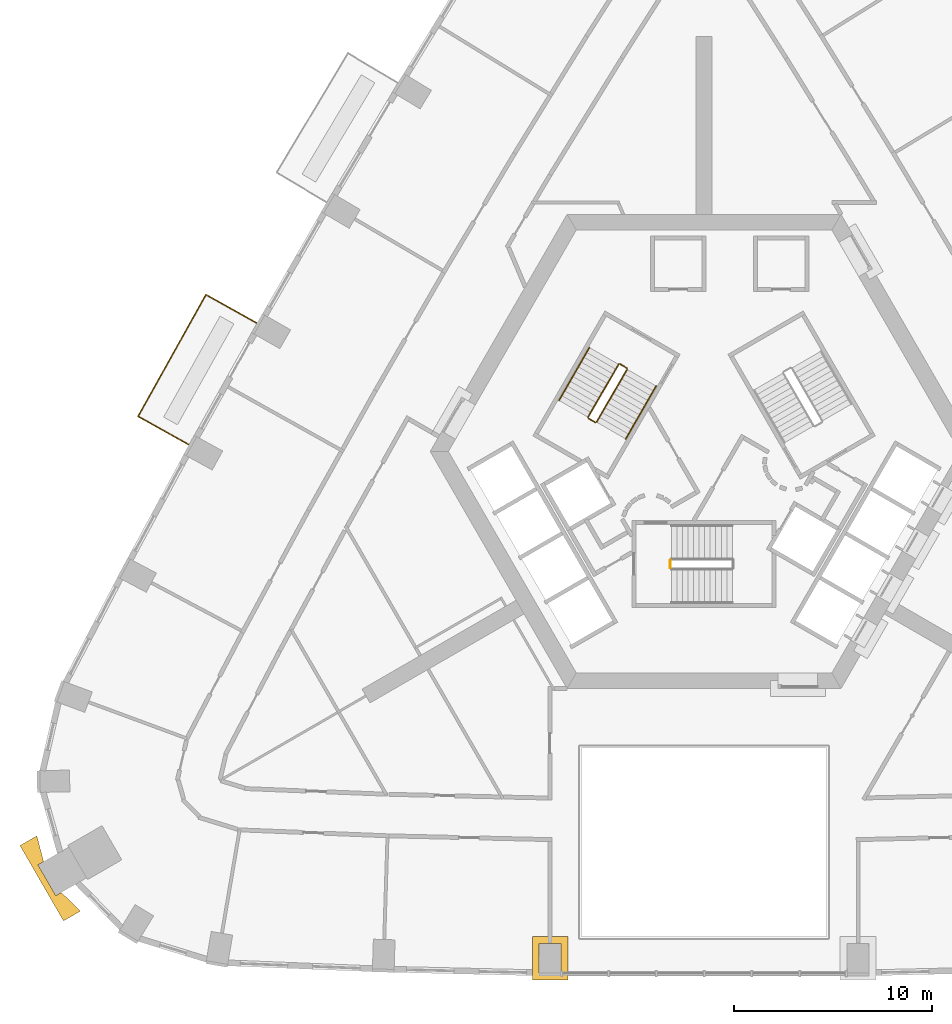
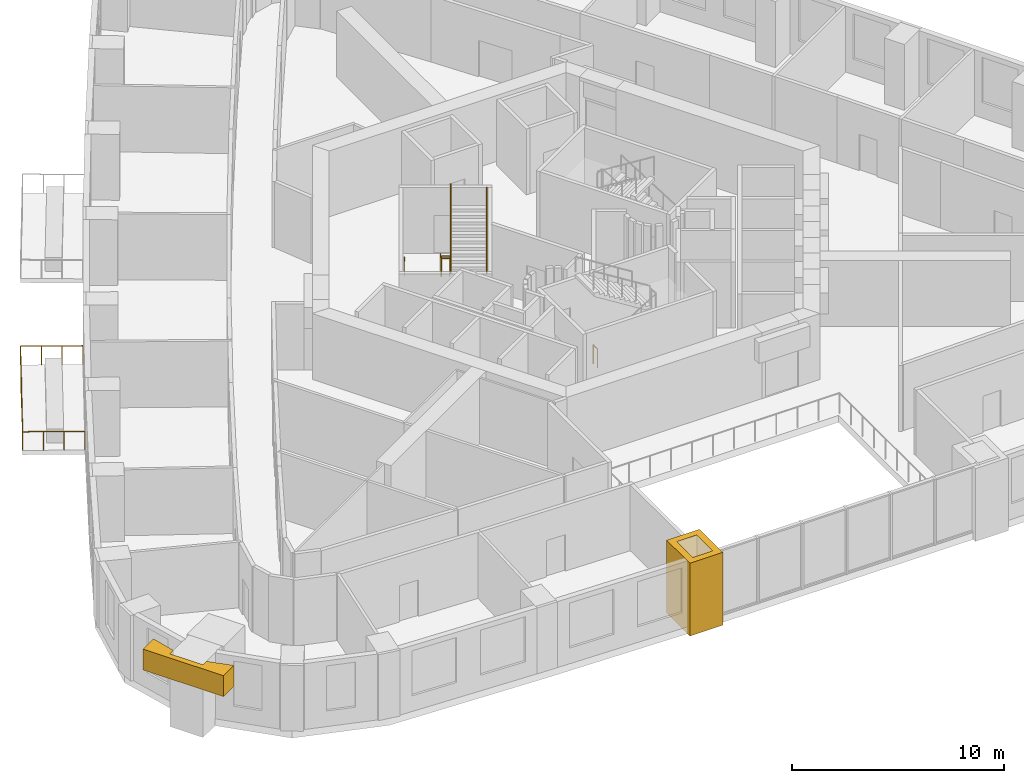
# One storey, part 12 of 14: 8 railings, 2 coverings.
"""IFC4 building model written with IfcOpenShell, lengths in metres."""

from ifc_helpers import new_model, si_unit, direction, frame, origin, origin_2d, place, context, subcontext, project, spatial, polyline, circle, outline, extrude, material, type_object, element, save


model = new_model("IFC4")

# Units and contexts
model_context = context("Model", 3, precision=1e-05, world=origin(), true_north=direction((0.0, 1.0)))
body_context = subcontext(model_context, "Body", "Model", "MODEL_VIEW")
ifc_project = project(units=[si_unit("LENGTHUNIT", "METRE"), si_unit("AREAUNIT", "SQUARE_METRE"), si_unit("VOLUMEUNIT", "CUBIC_METRE"), si_unit("PLANEANGLEUNIT", "RADIAN"), si_unit("MASSUNIT", "GRAM", prefix="KILO")], contexts=[model_context])

# Site, building, storey
site_placement = place(None, origin())
site = spatial("IfcSite", under=ifc_project, at=site_placement, CompositionType="ELEMENT")
building_placement = place(site_placement, origin())
building = spatial("IfcBuilding", under=site, at=building_placement, Name="Entoto Arch Interchange Tower", CompositionType="ELEMENT")
storey_placement = place(building_placement, frame((0.0, 0.0, 146.60009765625)))
storey = spatial("IfcBuildingStorey", under=building, at=storey_placement, Name="L32", CompositionType="ELEMENT", Elevation=146.60009765625)

# Railing
ifc_material_1 = material(Name="Stainless steel 1.4301", Category="steel")
railing_type_1 = type_object("IfcRailingType", Name="GUARD 1100 STEEL AND GLASS", PredefinedType="GUARDRAIL", material=ifc_material_1)
railing_1_placement = place(storey_placement, frame((-22.623046875, 8.990966796875, 0.0)))
element("IfcRailing", 1, at=railing_1_placement, inside=storey, type_object=railing_type_1, Name="Balcony guard NW-05 L32", PredefinedType="GUARDRAIL", context=body_context, shape_type="SweptSolid", body=[
    extrude(circle(Radius=0.02392578125, at=origin_2d()), frame((0.0, 0.0, 1.076171875), z_axis=(-0.872799375811, 0.488079142745, 0.0), x_axis=(-0.488079142745, -0.872799375811, 0.0)), (0.0, 0.0, 1.0), 2.9501953125),
    extrude(circle(Radius=0.02392578125, at=origin_2d()), frame((-2.574951171875, 1.43994140625, 1.076171875), z_axis=(-0.488040201013, -0.872821151322, 0.0), x_axis=(0.872821151322, -0.488040201013, 0.0)), (0.0, 0.0, 1.0), 7.050537109375),
    extrude(circle(Radius=0.02392578125, at=origin_2d()), frame((-6.015869140625, -4.7138671875, 1.076171875), z_axis=(0.87276412244, -0.488142178655, 0.0), x_axis=(0.488142178655, 0.87276412244, 0.0)), (0.0, 0.0, 1.0), 2.950439453125),
    extrude(circle(Radius=0.02099609375, at=origin_2d()), origin(), (0.0, 0.0, 1.0), 1.052001953125),
    extrude(circle(Radius=0.02099609375, at=origin_2d()), frame((-0.8583984375, 0.47998046875, 0.0)), (0.0, 0.0, 1.0), 1.052001953125),
    extrude(circle(Radius=0.02099609375, at=origin_2d()), frame((-1.716552734375, 0.9599609375, 0.0)), (0.0, 0.0, 1.0), 1.052001953125),
    extrude(circle(Radius=0.02099609375, at=origin_2d()), frame((-2.574951171875, 1.43994140625, 0.0)), (0.0, 0.0, 1.0), 1.052001953125),
    extrude(circle(Radius=0.02099609375, at=origin_2d()), frame((-3.1484375, 0.414306640625, 0.0)), (0.0, 0.0, 1.0), 1.052001953125),
    extrude(circle(Radius=0.02099609375, at=origin_2d()), frame((-3.721923828125, -0.611328125, 0.0)), (0.0, 0.0, 1.0), 1.052001953125),
    extrude(circle(Radius=0.02099609375, at=origin_2d()), frame((-4.29541015625, -1.636962890625, 0.0)), (0.0, 0.0, 1.0), 1.052001953125),
    extrude(circle(Radius=0.02099609375, at=origin_2d()), frame((-4.868896484375, -2.66259765625, 0.0)), (0.0, 0.0, 1.0), 1.052001953125),
    extrude(circle(Radius=0.02099609375, at=origin_2d()), frame((-5.4423828125, -3.688232421875, 0.0)), (0.0, 0.0, 1.0), 1.052001953125),
    extrude(circle(Radius=0.02099609375, at=origin_2d()), frame((-6.015869140625, -4.7138671875, 0.0)), (0.0, 0.0, 1.0), 1.052001953125),
    extrude(circle(Radius=0.02099609375, at=origin_2d()), frame((-5.157470703125, -5.19384765625, 0.0)), (0.0, 0.0, 1.0), 1.052001953125),
    extrude(circle(Radius=0.02099609375, at=origin_2d()), frame((-4.29931640625, -5.674072265625, 0.0)), (0.0, 0.0, 1.0), 1.052001953125),
    extrude(circle(Radius=0.02099609375, at=origin_2d()), frame((-3.44091796875, -6.154052734375, 0.0)), (0.0, 0.0, 1.0), 1.052001953125),
])

# Coverings
ifc_material_2 = material(Name="Board-marked precast concrete C50/60", Category="concrete")
covering_type = type_object("IfcCoveringType", Name="PRECAST FRAME COURSE", PredefinedType="CLADDING", material=ifc_material_2)
covering_1_placement = place(storey_placement, frame((0.0, 0.0, 2.599853515625)))
element("IfcCovering", 2, at=covering_1_placement, inside=storey, type_object=covering_type, Name="Corner pilaster head SW L30-L32", PredefinedType="CLADDING", context=body_context, shape_type="SweptSolid", body=[
    extrude(outline(polyline([(-32.408935546875, -21.2509765625), (-34.60888671875, -17.44091796875), (-33.7548828125, -16.947998046875), (-33.4150390625, -18.2529296875), (-33.698974609375, -18.4169921875), (-32.799072265625, -19.97509765625), (-32.514892578125, -19.81103515625), (-31.554931640625, -20.758056640625), (-32.408935546875, -21.2509765625)])), origin(), (0.0, 0.0, 1.0), 1.199951171875),
])
covering_2_placement = place(storey_placement, frame((0.0, 0.0, -0.400146484375)))
element("IfcCovering", 3, at=covering_2_placement, inside=storey, type_object=covering_type, Name="Gate pier L32", PredefinedType="CLADDING", context=body_context, shape_type="SweptSolid", body=[
    extrude(outline(polyline([(-8.68896484375, -22.041015625), (-6.888916015625, -22.041015625), (-6.888916015625, -24.240966796875), (-8.68896484375, -24.240966796875), (-8.68896484375, -22.041015625)]), holes=[polyline([(-8.339111328125, -22.39111328125), (-8.339111328125, -23.89111328125), (-7.239013671875, -23.89111328125), (-7.239013671875, -22.39111328125), (-8.339111328125, -22.39111328125)])]), origin(), (0.0, 0.0, 1.0), 4.199951171875),
])

# Railings
railing_type_2 = type_object("IfcRailingType", Name="STAIR GUARD 1100 STEEL", PredefinedType="GUARDRAIL", material=ifc_material_1)
railing_2_placement = place(storey_placement, frame((-1.699951171875, -3.39990234375, 0.0)))
element("IfcRailing", 4, at=railing_2_placement, inside=storey, type_object=railing_type_2, Name="L32 ST-S stair guard 4", PredefinedType="GUARDRAIL", context=body_context, shape_type="SweptSolid", body=[
    extrude(circle(Radius=0.02392578125, at=origin_2d()), frame((0.0, 0.0, 1.076171875), z_axis=(0.0, 1.0, 0.0), x_axis=(-1.0, 0.0, 0.0)), (0.0, 0.0, 1.0), 0.39990234375),
    extrude(circle(Radius=0.02099609375, at=origin_2d()), origin(), (0.0, 0.0, 1.0), 1.052001953125),
    extrude(circle(Radius=0.02099609375, at=origin_2d()), frame((0.0, 0.39990234375, 0.0)), (0.0, 0.0, 1.0), 1.052001953125),
])
railing_3_placement = place(storey_placement, frame((-4.327880859375, 6.904052734375, 0.1748046875)))
element("IfcRailing", 5, at=railing_3_placement, inside=storey, type_object=railing_type_2, Name="L32 ST-NW stair guard 1", PredefinedType="GUARDRAIL", context=body_context, shape_type="SweptSolid", body=[
    extrude(circle(Radius=0.02392578125, at=origin_2d()), frame((0.0, 0.0, 1.076171875), z_axis=(-0.423994474112, -0.734394994316, 0.52999309264), x_axis=(0.866029832698, -0.499992328818, 0.0)), (0.0, 0.0, 1.0), 3.63232421875),
    extrude(circle(Radius=0.02099609375, at=origin_2d()), origin(), (0.0, 0.0, 1.0), 1.052001953125),
    extrude(circle(Radius=0.02099609375, at=origin_2d()), frame((-0.385009765625, -0.6669921875, 0.481201171875)), (0.0, 0.0, 1.0), 1.052001953125),
    extrude(circle(Radius=0.02099609375, at=origin_2d()), frame((-0.77001953125, -1.333740234375, 0.96240234375)), (0.0, 0.0, 1.0), 1.052001953125),
    extrude(circle(Radius=0.02099609375, at=origin_2d()), frame((-1.155029296875, -2.00048828125, 1.44384765625)), (0.0, 0.0, 1.0), 1.052001953125),
    extrude(circle(Radius=0.02099609375, at=origin_2d()), frame((-1.5400390625, -2.66748046875, 1.925048828125)), (0.0, 0.0, 1.0), 1.052001953125),
])
railing_4_placement = place(storey_placement, frame((-5.849609375, 4.168212890625, 2.099853515625)))
element("IfcRailing", 6, at=railing_4_placement, inside=storey, type_object=railing_type_2, Name="L32 ST-NW stair guard 2", PredefinedType="GUARDRAIL", context=body_context, shape_type="SweptSolid", body=[
    extrude(circle(Radius=0.02392578125, at=origin_2d()), frame((0.0, 0.0, 1.076171875), z_axis=(0.866094119867, -0.499880961361, 0.0), x_axis=(0.499880961361, 0.866094119867, 0.0)), (0.0, 0.0, 1.0), 0.39990234375),
    extrude(circle(Radius=0.02099609375, at=origin_2d()), origin(), (0.0, 0.0, 1.0), 1.052001953125),
    extrude(circle(Radius=0.02099609375, at=origin_2d()), frame((0.346435546875, -0.199951171875, 0.0)), (0.0, 0.0, 1.0), 1.052001953125),
])
railing_5_placement = place(storey_placement, frame((-5.434814453125, 3.986572265625, 2.27490234375)))
element("IfcRailing", 7, at=railing_5_placement, inside=storey, type_object=railing_type_2, Name="L32 ST-NW stair guard 3", PredefinedType="GUARDRAIL", context=body_context, shape_type="SweptSolid", body=[
    extrude(circle(Radius=0.02392578125, at=origin_2d()), frame((0.0, 0.0, 1.076171875), z_axis=(0.423994474112, 0.734394994316, 0.52999309264), x_axis=(-0.866029832698, 0.499992328818, 0.0)), (0.0, 0.0, 1.0), 3.63232421875),
    extrude(circle(Radius=0.02099609375, at=origin_2d()), origin(), (0.0, 0.0, 1.0), 1.052001953125),
    extrude(circle(Radius=0.02099609375, at=origin_2d()), frame((0.385009765625, 0.6669921875, 0.481201171875)), (0.0, 0.0, 1.0), 1.052001953125),
    extrude(circle(Radius=0.02099609375, at=origin_2d()), frame((0.77001953125, 1.333740234375, 0.96240234375)), (0.0, 0.0, 1.0), 1.052001953125),
    extrude(circle(Radius=0.02099609375, at=origin_2d()), frame((1.155029296875, 2.00048828125, 1.44384765625)), (0.0, 0.0, 1.0), 1.052001953125),
    extrude(circle(Radius=0.02099609375, at=origin_2d()), frame((1.5400390625, 2.66748046875, 1.925048828125)), (0.0, 0.0, 1.0), 1.052001953125),
])
railing_6_placement = place(storey_placement, frame((-4.259521484375, 6.92236328125, 0.0)))
element("IfcRailing", 8, at=railing_6_placement, inside=storey, type_object=railing_type_2, Name="L32 ST-NW stair guard 4", PredefinedType="GUARDRAIL", context=body_context, shape_type="SweptSolid", body=[
    extrude(circle(Radius=0.02392578125, at=origin_2d()), frame((0.0, 0.0, 1.076171875), z_axis=(0.865829829939, -0.500338590944, 0.0), x_axis=(0.500338590944, 0.865829829939, 0.0)), (0.0, 0.0, 1.0), 0.400146484375),
    extrude(circle(Radius=0.02099609375, at=origin_2d()), origin(), (0.0, 0.0, 1.0), 1.052001953125),
    extrude(circle(Radius=0.02099609375, at=origin_2d()), frame((0.346435546875, -0.2001953125, 0.0)), (0.0, 0.0, 1.0), 1.052001953125),
])
railing_type_3 = type_object("IfcRailingType", Name="STAIR HANDRAIL 900 STEEL", PredefinedType="HANDRAIL", material=ifc_material_1)
railing_7_placement = place(storey_placement, frame((-5.800048828125, 7.75390625, 0.1748046875)))
element("IfcRailing", 9, at=railing_7_placement, inside=storey, type_object=railing_type_3, Name="L32 ST-NW stair handrail 1", PredefinedType="HANDRAIL", context=body_context, shape_type="SweptSolid", body=[
    extrude(circle(Radius=0.02392578125, at=origin_2d()), frame((0.0, 0.0, 0.8759765625), z_axis=(-0.424015404183, -0.734364028329, 0.530019255228), x_axis=(0.866010015463, -0.500026652407, 0.0)), (0.0, 0.0, 1.0), 3.632080078125),
    extrude(circle(Radius=0.02099609375, at=origin_2d()), origin(), (0.0, 0.0, 1.0), 0.851806640625),
    extrude(circle(Radius=0.02099609375, at=origin_2d()), frame((-0.385009765625, -0.666748046875, 0.481201171875)), (0.0, 0.0, 1.0), 0.851806640625),
    extrude(circle(Radius=0.02099609375, at=origin_2d()), frame((-0.77001953125, -1.33349609375, 0.96240234375)), (0.0, 0.0, 1.0), 0.851806640625),
    extrude(circle(Radius=0.02099609375, at=origin_2d()), frame((-1.155029296875, -2.00048828125, 1.44384765625)), (0.0, 0.0, 1.0), 0.851806640625),
    extrude(circle(Radius=0.02099609375, at=origin_2d()), frame((-1.5400390625, -2.667236328125, 1.925048828125)), (0.0, 0.0, 1.0), 0.851806640625),
])
railing_8_placement = place(storey_placement, frame((-3.962646484375, 3.136474609375, 2.27490234375)))
element("IfcRailing", 10, at=railing_8_placement, inside=storey, type_object=railing_type_3, Name="L32 ST-NW stair handrail 2", PredefinedType="HANDRAIL", context=body_context, shape_type="SweptSolid", body=[
    extrude(circle(Radius=0.02392578125, at=origin_2d()), frame((0.0, 0.0, 0.8759765625), z_axis=(0.423994474112, 0.734394994316, 0.52999309264), x_axis=(-0.866029832698, 0.499992328818, 0.0)), (0.0, 0.0, 1.0), 3.63232421875),
    extrude(circle(Radius=0.02099609375, at=origin_2d()), origin(), (0.0, 0.0, 1.0), 0.851806640625),
    extrude(circle(Radius=0.02099609375, at=origin_2d()), frame((0.385009765625, 0.6669921875, 0.481201171875)), (0.0, 0.0, 1.0), 0.851806640625),
    extrude(circle(Radius=0.02099609375, at=origin_2d()), frame((0.77001953125, 1.333740234375, 0.96240234375)), (0.0, 0.0, 1.0), 0.851806640625),
    extrude(circle(Radius=0.02099609375, at=origin_2d()), frame((1.155029296875, 2.00048828125, 1.44384765625)), (0.0, 0.0, 1.0), 0.851806640625),
    extrude(circle(Radius=0.02099609375, at=origin_2d()), frame((1.5400390625, 2.66748046875, 1.925048828125)), (0.0, 0.0, 1.0), 0.851806640625),
])

save(model, "model.ifc")
